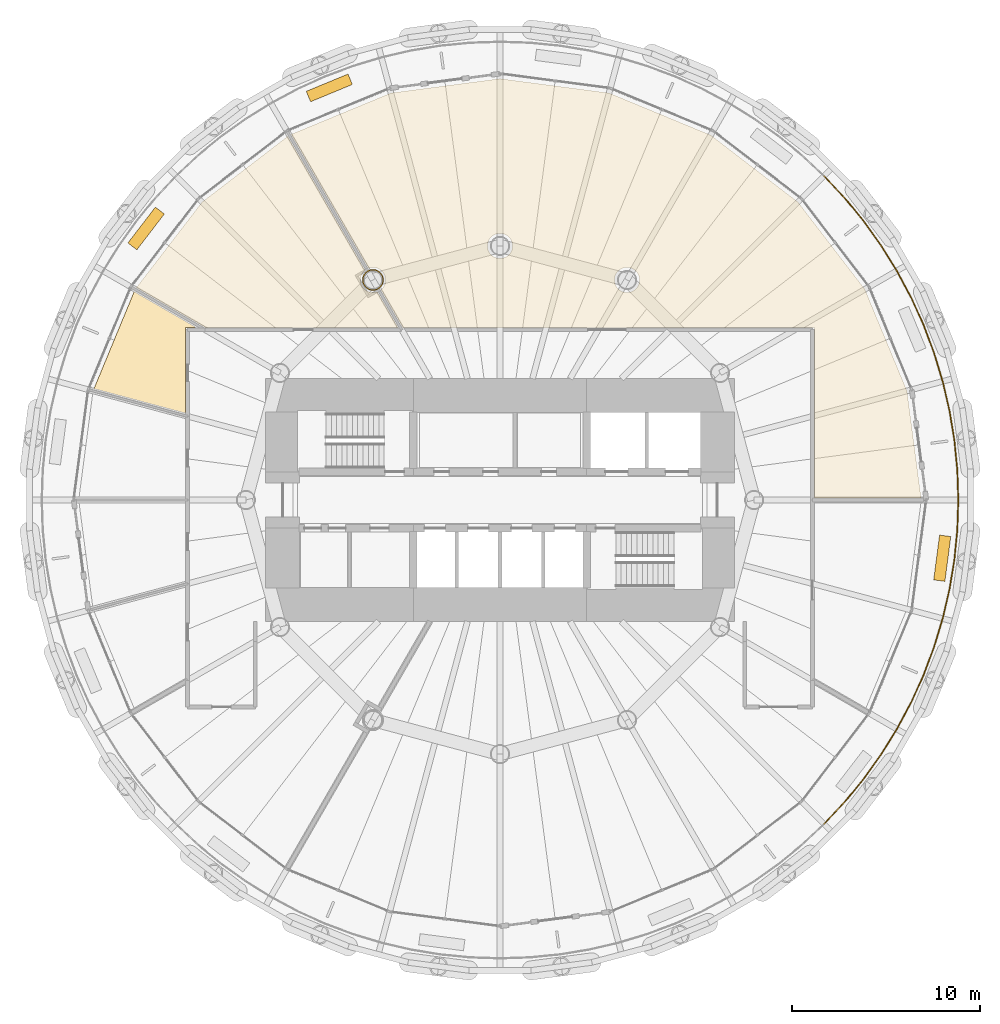
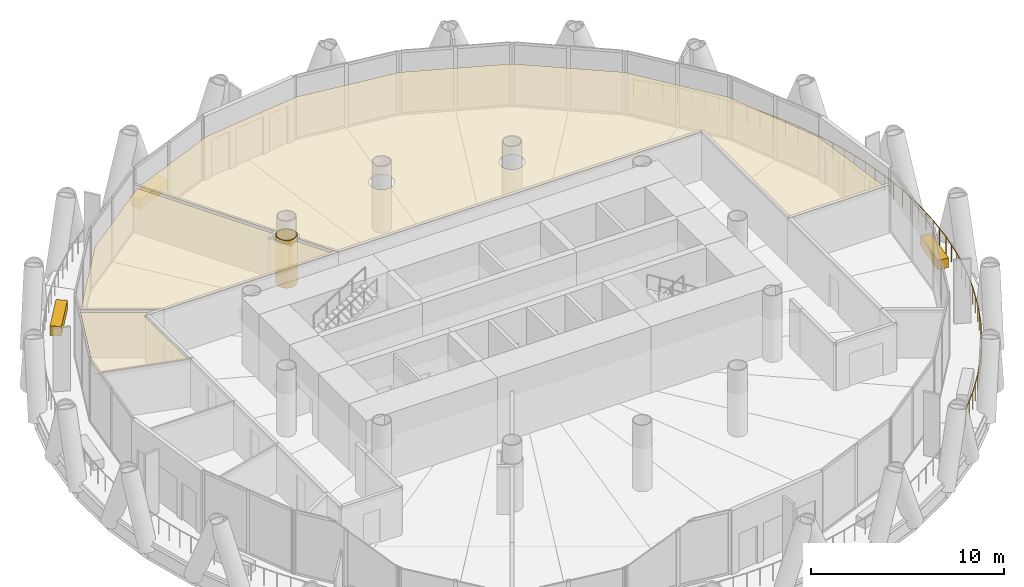
# One storey, part 14 of 15: 7 coverings, 1 railing.
"""IFC4 building model written with IfcOpenShell, lengths in metres."""

from ifc_helpers import new_model, si_unit, direction, frame, origin, origin_2d, place, context, subcontext, project, spatial, polyline, rectangle, circle, outline, extrude, material, layer, layer_set, type_object, element, save


model = new_model("IFC4")

# Units and contexts
model_context = context("Model", 3, precision=1e-05, world=origin(), true_north=direction((0.0, 1.0)))
body_context = subcontext(model_context, "Body", "Model", "MODEL_VIEW")
ifc_project = project(units=[si_unit("LENGTHUNIT", "METRE"), si_unit("AREAUNIT", "SQUARE_METRE"), si_unit("VOLUMEUNIT", "CUBIC_METRE"), si_unit("PLANEANGLEUNIT", "RADIAN"), si_unit("MASSUNIT", "GRAM", prefix="KILO")], contexts=[model_context])

# Site, building, storey
site_placement = place(None, origin())
site = spatial("IfcSite", under=ifc_project, at=site_placement, CompositionType="ELEMENT")
building_placement = place(site_placement, origin())
building = spatial("IfcBuilding", under=site, at=building_placement, Name="Qaws Media Tower", CompositionType="ELEMENT")
storey_placement = place(building_placement, frame((0.0, 0.0, 131.0)))
storey = spatial("IfcBuildingStorey", under=building, at=storey_placement, Name="L29", CompositionType="ELEMENT", Elevation=131.0)

# Covering
ifc_material_1 = material(Name="40 perforated acoustic panels with mineral wool backing, suspended", Category="mineral fibre")
ifc_layer_1 = layer(ifc_material_1, 0.0400390625)
ifc_layer_set_1 = layer_set([ifc_layer_1], Name="Acoustic panel ceiling 40")
covering_type_1 = type_object("IfcCoveringType", Name="Acoustic panel ceiling 40", PredefinedType="CEILING", material=ifc_layer_set_1)
covering_1_placement = place(storey_placement, frame((0.0, 0.0, 2.85009765625)))
element("IfcCovering", 1, at=covering_1_placement, inside=storey, type_object=covering_type_1, Name="CL3 ceiling L29-03 Meeting room", PredefinedType="CEILING", context=body_context, shape_type="SweptSolid", body=[
    extrude(outline(polyline([(44.171142578125, 65.828857421875), (48.71728515625, 69.317138671875), (52.823974609375, 62.204345703125), (52.777587890625, 62.163818359375), (52.719970703125, 62.097900390625), (52.67138671875, 62.025390625), (52.6328125, 61.947021484375), (52.604736328125, 61.8642578125), (52.587646484375, 61.778564453125), (52.58203125, 61.69140625), (52.587646484375, 61.604248046875), (52.604736328125, 61.5185546875), (52.6328125, 61.435791015625), (52.67138671875, 61.357421875), (52.719970703125, 61.28466796875), (52.777587890625, 61.218994140625), (52.84326171875, 61.161376953125), (52.916015625, 61.11279296875), (52.994384765625, 61.07421875), (53.0771484375, 61.046142578125), (53.162841796875, 61.029052734375), (53.25, 61.023193359375), (53.337158203125, 61.029052734375), (53.4228515625, 61.046142578125), (53.481201171875, 61.06591796875), (54.580078125, 59.16259765625), (44.35498046875, 59.16259765625), (40.682861328125, 61.28271484375), (44.171142578125, 65.828857421875)])), origin(), (0.0, 0.0, 1.0), 0.039794921875),
])

# Railing
ifc_material_2 = material(Name="Stainless steel and glass guard", Category="steel")
railing_type = type_object("IfcRailingType", Name="Balcony guard 1100", PredefinedType="GUARDRAIL", material=ifc_material_2)
railing_placement = place(storey_placement, frame((77.218017578125, 32.781982421875, 0.0)))
element("IfcRailing", 2, at=railing_placement, inside=storey, type_object=railing_type, Name="GR1 balcony guard L29-4", PredefinedType="GUARDRAIL", context=body_context, shape_type="SweptSolid", body=[
    extrude(circle(Radius=0.02392578125, at=origin_2d()), frame((0.0, 0.0, 1.076171875), z_axis=(0.683670954783, 0.729790398393, 0.0), x_axis=(-0.729790398393, 0.683670954783, 0.0)), (0.0, 0.0, 1.0), 1.593505859375),
    extrude(circle(Radius=0.02392578125, at=origin_2d()), frame((1.08935546875, 1.162841796875, 1.076171875), z_axis=(0.634288437516, 0.773096486885, 0.0), x_axis=(-0.773096486885, 0.634288437516, 0.0)), (0.0, 0.0, 1.0), 1.593505859375),
    extrude(circle(Radius=0.02392578125, at=origin_2d()), frame((2.10009765625, 2.394775390625, 1.076171875), z_axis=(0.582527376855, 0.812811082119, 0.0), x_axis=(-0.812811082119, 0.582527376855, 0.0)), (0.0, 0.0, 1.0), 1.593505859375),
    extrude(circle(Radius=0.02392578125, at=origin_2d()), frame((3.0283203125, 3.68994140625, 1.076171875), z_axis=(0.528041654639, 0.849218470693, 0.0), x_axis=(-0.849218470693, 0.528041654639, 0.0)), (0.0, 0.0, 1.0), 1.59326171875),
    extrude(circle(Radius=0.02392578125, at=origin_2d()), frame((3.86962890625, 5.04296875, 1.076171875), z_axis=(0.471438909814, 0.88189872112, 0.0), x_axis=(-0.88189872112, 0.471438909814, 0.0)), (0.0, 0.0, 1.0), 1.593505859375),
    extrude(circle(Radius=0.02392578125, at=origin_2d()), frame((4.620849609375, 6.4482421875, 1.076171875), z_axis=(0.412752224471, 0.910843346133, 0.0), x_axis=(-0.910843346133, 0.412752224471, 0.0)), (0.0, 0.0, 1.0), 1.593505859375),
    extrude(circle(Radius=0.02392578125, at=origin_2d()), frame((5.278564453125, 7.899658203125, 1.076171875), z_axis=(0.352265024025, 0.935900290014, 0.0), x_axis=(-0.935900290014, 0.352265024025, 0.0)), (0.0, 0.0, 1.0), 1.59326171875),
    extrude(circle(Radius=0.02392578125, at=origin_2d()), frame((5.83984375, 9.390869140625, 1.076171875), z_axis=(0.290185988747, 0.956970267007, 0.0), x_axis=(-0.956970267007, 0.290185988747, 0.0)), (0.0, 0.0, 1.0), 1.593505859375),
    extrude(circle(Radius=0.02392578125, at=origin_2d()), frame((6.30224609375, 10.915771484375, 1.076171875), z_axis=(0.227074614975, 0.973877363549, 0.0), x_axis=(-0.973877363549, 0.227074614975, 0.0)), (0.0, 0.0, 1.0), 1.59326171875),
    extrude(circle(Radius=0.02392578125, at=origin_2d()), frame((6.6640625, 12.467529296875, 1.076171875), z_axis=(0.162858441071, 0.986649445432, 0.0), x_axis=(-0.986649445432, 0.162858441071, 0.0)), (0.0, 0.0, 1.0), 1.593505859375),
    extrude(circle(Radius=0.02392578125, at=origin_2d()), frame((6.923583984375, 14.039794921875, 1.076171875), z_axis=(0.09806241273, 0.99518026669, 0.0), x_axis=(-0.99518026669, 0.09806241273, 0.0)), (0.0, 0.0, 1.0), 1.59326171875),
    extrude(circle(Radius=0.02392578125, at=origin_2d()), frame((7.079833984375, 15.62548828125, 1.076171875), z_axis=(0.032789349828, 0.9994622847, 0.0), x_axis=(-0.9994622847, 0.032789349828, 0.0)), (0.0, 0.0, 1.0), 1.593505859375),
    extrude(circle(Radius=0.02392578125, at=origin_2d()), frame((7.132080078125, 17.218017578125, 1.076171875), z_axis=(-0.032789349828, 0.9994622847, 0.0), x_axis=(-0.9994622847, -0.032789349828, 0.0)), (0.0, 0.0, 1.0), 1.593505859375),
    extrude(circle(Radius=0.02392578125, at=origin_2d()), frame((7.079833984375, 18.810546875, 1.076171875), z_axis=(-0.09806241273, 0.99518026669, 0.0), x_axis=(-0.99518026669, -0.09806241273, 0.0)), (0.0, 0.0, 1.0), 1.59326171875),
    extrude(circle(Radius=0.02392578125, at=origin_2d()), frame((6.923583984375, 20.396240234375, 1.076171875), z_axis=(-0.162858441071, 0.986649445432, 0.0), x_axis=(-0.986649445432, -0.162858441071, 0.0)), (0.0, 0.0, 1.0), 1.593505859375),
    extrude(circle(Radius=0.02392578125, at=origin_2d()), frame((6.6640625, 21.968505859375, 1.076171875), z_axis=(-0.227074614975, 0.973877363549, 0.0), x_axis=(-0.973877363549, -0.227074614975, 0.0)), (0.0, 0.0, 1.0), 1.59326171875),
    extrude(circle(Radius=0.02392578125, at=origin_2d()), frame((6.30224609375, 23.520263671875, 1.076171875), z_axis=(-0.290185988747, 0.956970267007, 0.0), x_axis=(-0.956970267007, -0.290185988747, 0.0)), (0.0, 0.0, 1.0), 1.593505859375),
    extrude(circle(Radius=0.02392578125, at=origin_2d()), frame((5.83984375, 25.045166015625, 1.076171875), z_axis=(-0.352265024025, 0.935900290014, 0.0), x_axis=(-0.935900290014, -0.352265024025, 0.0)), (0.0, 0.0, 1.0), 1.59326171875),
    extrude(circle(Radius=0.02392578125, at=origin_2d()), frame((5.278564453125, 26.536376953125, 1.076171875), z_axis=(-0.412752224471, 0.910843346133, 0.0), x_axis=(-0.910843346133, -0.412752224471, 0.0)), (0.0, 0.0, 1.0), 1.593505859375),
    extrude(circle(Radius=0.02392578125, at=origin_2d()), frame((4.620849609375, 27.98779296875, 1.076171875), z_axis=(-0.471438909814, 0.88189872112, 0.0), x_axis=(-0.88189872112, -0.471438909814, 0.0)), (0.0, 0.0, 1.0), 1.593505859375),
    extrude(circle(Radius=0.02392578125, at=origin_2d()), frame((3.86962890625, 29.39306640625, 1.076171875), z_axis=(-0.528041654639, 0.849218470693, 0.0), x_axis=(-0.849218470693, -0.528041654639, 0.0)), (0.0, 0.0, 1.0), 1.59326171875),
    extrude(circle(Radius=0.02392578125, at=origin_2d()), frame((3.0283203125, 30.74609375, 1.076171875), z_axis=(-0.582527376855, 0.812811082119, 0.0), x_axis=(-0.812811082119, -0.582527376855, 0.0)), (0.0, 0.0, 1.0), 1.593505859375),
    extrude(circle(Radius=0.02392578125, at=origin_2d()), frame((2.10009765625, 32.041259765625, 1.076171875), z_axis=(-0.634288437516, 0.773096486885, 0.0), x_axis=(-0.773096486885, -0.634288437516, 0.0)), (0.0, 0.0, 1.0), 1.593505859375),
    extrude(circle(Radius=0.02392578125, at=origin_2d()), frame((1.08935546875, 33.273193359375, 1.076171875), z_axis=(-0.683670954783, 0.729790398393, 0.0), x_axis=(-0.729790398393, -0.683670954783, 0.0)), (0.0, 0.0, 1.0), 1.593505859375),
    extrude(circle(Radius=0.02099609375, at=origin_2d()), origin(), (0.0, 0.0, 1.0), 1.052001953125),
    extrude(circle(Radius=0.02099609375, at=origin_2d()), frame((0.544677734375, 0.58154296875, 0.0)), (0.0, 0.0, 1.0), 1.052001953125),
    extrude(circle(Radius=0.02099609375, at=origin_2d()), frame((1.08935546875, 1.162841796875, 0.0)), (0.0, 0.0, 1.0), 1.052001953125),
    extrude(circle(Radius=0.02099609375, at=origin_2d()), frame((1.5947265625, 1.77880859375, 0.0)), (0.0, 0.0, 1.0), 1.052001953125),
    extrude(circle(Radius=0.02099609375, at=origin_2d()), frame((2.10009765625, 2.394775390625, 0.0)), (0.0, 0.0, 1.0), 1.052001953125),
    extrude(circle(Radius=0.02099609375, at=origin_2d()), frame((2.564208984375, 3.04248046875, 0.0)), (0.0, 0.0, 1.0), 1.052001953125),
    extrude(circle(Radius=0.02099609375, at=origin_2d()), frame((3.0283203125, 3.68994140625, 0.0)), (0.0, 0.0, 1.0), 1.052001953125),
    extrude(circle(Radius=0.02099609375, at=origin_2d()), frame((3.448974609375, 4.366455078125, 0.0)), (0.0, 0.0, 1.0), 1.052001953125),
    extrude(circle(Radius=0.02099609375, at=origin_2d()), frame((3.86962890625, 5.04296875, 0.0)), (0.0, 0.0, 1.0), 1.052001953125),
    extrude(circle(Radius=0.02099609375, at=origin_2d()), frame((4.2451171875, 5.74560546875, 0.0)), (0.0, 0.0, 1.0), 1.052001953125),
    extrude(circle(Radius=0.02099609375, at=origin_2d()), frame((4.620849609375, 6.4482421875, 0.0)), (0.0, 0.0, 1.0), 1.052001953125),
    extrude(circle(Radius=0.02099609375, at=origin_2d()), frame((4.94970703125, 7.173828125, 0.0)), (0.0, 0.0, 1.0), 1.052001953125),
    extrude(circle(Radius=0.02099609375, at=origin_2d()), frame((5.278564453125, 7.899658203125, 0.0)), (0.0, 0.0, 1.0), 1.052001953125),
    extrude(circle(Radius=0.02099609375, at=origin_2d()), frame((5.55908203125, 8.645263671875, 0.0)), (0.0, 0.0, 1.0), 1.052001953125),
    extrude(circle(Radius=0.02099609375, at=origin_2d()), frame((5.83984375, 9.390869140625, 0.0)), (0.0, 0.0, 1.0), 1.052001953125),
    extrude(circle(Radius=0.02099609375, at=origin_2d()), frame((6.071044921875, 10.1533203125, 0.0)), (0.0, 0.0, 1.0), 1.052001953125),
    extrude(circle(Radius=0.02099609375, at=origin_2d()), frame((6.30224609375, 10.915771484375, 0.0)), (0.0, 0.0, 1.0), 1.052001953125),
    extrude(circle(Radius=0.02099609375, at=origin_2d()), frame((6.483154296875, 11.691650390625, 0.0)), (0.0, 0.0, 1.0), 1.052001953125),
    extrude(circle(Radius=0.02099609375, at=origin_2d()), frame((6.6640625, 12.467529296875, 0.0)), (0.0, 0.0, 1.0), 1.052001953125),
    extrude(circle(Radius=0.02099609375, at=origin_2d()), frame((6.7939453125, 13.253662109375, 0.0)), (0.0, 0.0, 1.0), 1.052001953125),
    extrude(circle(Radius=0.02099609375, at=origin_2d()), frame((6.923583984375, 14.039794921875, 0.0)), (0.0, 0.0, 1.0), 1.052001953125),
    extrude(circle(Radius=0.02099609375, at=origin_2d()), frame((7.001708984375, 14.83251953125, 0.0)), (0.0, 0.0, 1.0), 1.052001953125),
    extrude(circle(Radius=0.02099609375, at=origin_2d()), frame((7.079833984375, 15.62548828125, 0.0)), (0.0, 0.0, 1.0), 1.052001953125),
    extrude(circle(Radius=0.02099609375, at=origin_2d()), frame((7.10595703125, 16.421875, 0.0)), (0.0, 0.0, 1.0), 1.052001953125),
    extrude(circle(Radius=0.02099609375, at=origin_2d()), frame((7.132080078125, 17.218017578125, 0.0)), (0.0, 0.0, 1.0), 1.052001953125),
    extrude(circle(Radius=0.02099609375, at=origin_2d()), frame((7.10595703125, 18.01416015625, 0.0)), (0.0, 0.0, 1.0), 1.052001953125),
    extrude(circle(Radius=0.02099609375, at=origin_2d()), frame((7.079833984375, 18.810546875, 0.0)), (0.0, 0.0, 1.0), 1.052001953125),
    extrude(circle(Radius=0.02099609375, at=origin_2d()), frame((7.001708984375, 19.603515625, 0.0)), (0.0, 0.0, 1.0), 1.052001953125),
    extrude(circle(Radius=0.02099609375, at=origin_2d()), frame((6.923583984375, 20.396240234375, 0.0)), (0.0, 0.0, 1.0), 1.052001953125),
    extrude(circle(Radius=0.02099609375, at=origin_2d()), frame((6.7939453125, 21.182373046875, 0.0)), (0.0, 0.0, 1.0), 1.052001953125),
    extrude(circle(Radius=0.02099609375, at=origin_2d()), frame((6.6640625, 21.968505859375, 0.0)), (0.0, 0.0, 1.0), 1.052001953125),
    extrude(circle(Radius=0.02099609375, at=origin_2d()), frame((6.483154296875, 22.744384765625, 0.0)), (0.0, 0.0, 1.0), 1.052001953125),
    extrude(circle(Radius=0.02099609375, at=origin_2d()), frame((6.30224609375, 23.520263671875, 0.0)), (0.0, 0.0, 1.0), 1.052001953125),
    extrude(circle(Radius=0.02099609375, at=origin_2d()), frame((6.071044921875, 24.28271484375, 0.0)), (0.0, 0.0, 1.0), 1.052001953125),
    extrude(circle(Radius=0.02099609375, at=origin_2d()), frame((5.83984375, 25.045166015625, 0.0)), (0.0, 0.0, 1.0), 1.052001953125),
    extrude(circle(Radius=0.02099609375, at=origin_2d()), frame((5.55908203125, 25.790771484375, 0.0)), (0.0, 0.0, 1.0), 1.052001953125),
    extrude(circle(Radius=0.02099609375, at=origin_2d()), frame((5.278564453125, 26.536376953125, 0.0)), (0.0, 0.0, 1.0), 1.052001953125),
    extrude(circle(Radius=0.02099609375, at=origin_2d()), frame((4.94970703125, 27.26220703125, 0.0)), (0.0, 0.0, 1.0), 1.052001953125),
    extrude(circle(Radius=0.02099609375, at=origin_2d()), frame((4.620849609375, 27.98779296875, 0.0)), (0.0, 0.0, 1.0), 1.052001953125),
    extrude(circle(Radius=0.02099609375, at=origin_2d()), frame((4.2451171875, 28.6904296875, 0.0)), (0.0, 0.0, 1.0), 1.052001953125),
    extrude(circle(Radius=0.02099609375, at=origin_2d()), frame((3.86962890625, 29.39306640625, 0.0)), (0.0, 0.0, 1.0), 1.052001953125),
    extrude(circle(Radius=0.02099609375, at=origin_2d()), frame((3.448974609375, 30.069580078125, 0.0)), (0.0, 0.0, 1.0), 1.052001953125),
    extrude(circle(Radius=0.02099609375, at=origin_2d()), frame((3.0283203125, 30.74609375, 0.0)), (0.0, 0.0, 1.0), 1.052001953125),
    extrude(circle(Radius=0.02099609375, at=origin_2d()), frame((2.564208984375, 31.3935546875, 0.0)), (0.0, 0.0, 1.0), 1.052001953125),
    extrude(circle(Radius=0.02099609375, at=origin_2d()), frame((2.10009765625, 32.041259765625, 0.0)), (0.0, 0.0, 1.0), 1.052001953125),
    extrude(circle(Radius=0.02099609375, at=origin_2d()), frame((1.5947265625, 32.6572265625, 0.0)), (0.0, 0.0, 1.0), 1.052001953125),
    extrude(circle(Radius=0.02099609375, at=origin_2d()), frame((1.08935546875, 33.273193359375, 0.0)), (0.0, 0.0, 1.0), 1.052001953125),
    extrude(circle(Radius=0.02099609375, at=origin_2d()), frame((0.544677734375, 33.8544921875, 0.0)), (0.0, 0.0, 1.0), 1.052001953125),
    extrude(circle(Radius=0.02099609375, at=origin_2d()), frame((0.0, 34.43603515625, 0.0)), (0.0, 0.0, 1.0), 1.052001953125),
])

# Coverings
ifc_material_3 = material(Name="Two layers 15 fire-rated gypsum board on steel framing", Category="steel")
ifc_layer_2 = layer(ifc_material_3, 0.050048828125)
ifc_layer_set_2 = layer_set([ifc_layer_2], Name="Column fire casing")
covering_type_2 = type_object("IfcCoveringType", Name="Column fire casing", PredefinedType="CLADDING", material=ifc_layer_set_2)
covering_2_placement = place(storey_placement, origin())
element("IfcCovering", 3, at=covering_2_placement, inside=storey, type_object=covering_type_2, Name="CC1 column casing L29", PredefinedType="CLADDING", context=body_context, shape_type="SweptSolid", body=[
    extrude(outline(polyline([(53.81298828125, 61.69140625), (53.80810546875, 61.617919921875), (53.793701171875, 61.545654296875), (53.77001953125, 61.475830078125), (53.737548828125, 61.409912109375), (53.69677734375, 61.3486328125), (53.648193359375, 61.293212890625), (53.5927734375, 61.24462890625), (53.531494140625, 61.203857421875), (53.465576171875, 61.171142578125), (53.395751953125, 61.1474609375), (53.323486328125, 61.13330078125), (53.25, 61.12841796875), (53.176513671875, 61.13330078125), (53.104248046875, 61.1474609375), (53.034423828125, 61.171142578125), (52.968505859375, 61.203857421875), (52.9072265625, 61.24462890625), (52.851806640625, 61.293212890625), (52.80322265625, 61.3486328125), (52.762451171875, 61.409912109375), (52.72998046875, 61.475830078125), (52.706298828125, 61.545654296875), (52.69189453125, 61.617919921875), (52.68701171875, 61.69140625), (52.69189453125, 61.764892578125), (52.706298828125, 61.837158203125), (52.72998046875, 61.90673828125), (52.762451171875, 61.972900390625), (52.80322265625, 62.0341796875), (52.851806640625, 62.08935546875), (52.9072265625, 62.137939453125), (52.968505859375, 62.178955078125), (53.034423828125, 62.21142578125), (53.104248046875, 62.235107421875), (53.176513671875, 62.24951171875), (53.25, 62.25439453125), (53.323486328125, 62.24951171875), (53.395751953125, 62.235107421875), (53.465576171875, 62.21142578125), (53.531494140625, 62.178955078125), (53.5927734375, 62.137939453125), (53.648193359375, 62.08935546875), (53.69677734375, 62.0341796875), (53.737548828125, 61.972900390625), (53.77001953125, 61.90673828125), (53.793701171875, 61.837158203125), (53.80810546875, 61.764892578125), (53.81298828125, 61.69140625)]), holes=[polyline([(53.760986328125, 61.69140625), (53.756591796875, 61.62451171875), (53.74365234375, 61.55908203125), (53.72216796875, 61.495849609375), (53.6923828125, 61.435791015625), (53.655517578125, 61.38037109375), (53.611328125, 61.330078125), (53.56103515625, 61.285888671875), (53.505615234375, 61.248779296875), (53.445556640625, 61.21923828125), (53.38232421875, 61.19775390625), (53.316650390625, 61.184814453125), (53.25, 61.180419921875), (53.183349609375, 61.184814453125), (53.11767578125, 61.19775390625), (53.054443359375, 61.21923828125), (52.994384765625, 61.248779296875), (52.93896484375, 61.285888671875), (52.888671875, 61.330078125), (52.844482421875, 61.38037109375), (52.8076171875, 61.435791015625), (52.77783203125, 61.495849609375), (52.75634765625, 61.55908203125), (52.743408203125, 61.62451171875), (52.739013671875, 61.69140625), (52.743408203125, 61.758056640625), (52.75634765625, 61.823486328125), (52.77783203125, 61.886962890625), (52.8076171875, 61.94677734375), (52.844482421875, 62.00244140625), (52.888671875, 62.052734375), (52.93896484375, 62.0966796875), (52.994384765625, 62.1337890625), (53.054443359375, 62.163330078125), (53.11767578125, 62.184814453125), (53.183349609375, 62.197998046875), (53.25, 62.202392578125), (53.316650390625, 62.197998046875), (53.38232421875, 62.184814453125), (53.445556640625, 62.163330078125), (53.505615234375, 62.1337890625), (53.56103515625, 62.0966796875), (53.611328125, 62.052734375), (53.655517578125, 62.00244140625), (53.6923828125, 61.94677734375), (53.72216796875, 61.886962890625), (53.74365234375, 61.823486328125), (53.756591796875, 61.758056640625), (53.760986328125, 61.69140625)])]), origin(), (0.0, 0.0, 1.0), 3.02001953125),
])
ifc_material_4 = material(Name="600 x 600 mineral fibre tiles in exposed grid, suspended", Category="mineral fibre")
ifc_layer_3 = layer(ifc_material_4, 0.02001953125)
ifc_layer_set_3 = layer_set([ifc_layer_3], Name="Mineral fibre tile ceiling 20")
covering_type_3 = type_object("IfcCoveringType", Name="Mineral fibre tile ceiling 20", PredefinedType="CEILING", material=ifc_layer_set_3)
covering_3_placement = place(storey_placement, frame((0.0, 0.0, 2.85009765625)))
element("IfcCovering", 4, at=covering_3_placement, inside=storey, type_object=covering_type_3, Name="CL1 ceiling L29-02 Finance office", PredefinedType="CEILING", context=body_context, shape_type="SweptSolid", body=[
    extrude(outline(polyline([(54.206298828125, 71.62255859375), (60.0, 72.38525390625), (65.793701171875, 71.62255859375), (71.192626953125, 69.38623046875), (75.828857421875, 65.828857421875), (79.38623046875, 61.192626953125), (81.62255859375, 55.793701171875), (82.370361328125, 50.112548828125), (76.71240234375, 50.112548828125), (76.71240234375, 59.16259765625), (54.83984375, 59.16259765625), (53.676025390625, 61.178466796875), (53.722412109375, 61.218994140625), (53.780029296875, 61.28466796875), (53.82861328125, 61.357421875), (53.8671875, 61.435791015625), (53.895263671875, 61.5185546875), (53.912353515625, 61.604248046875), (53.91796875, 61.69140625), (53.912353515625, 61.778564453125), (53.895263671875, 61.8642578125), (53.8671875, 61.947021484375), (53.82861328125, 62.025390625), (53.780029296875, 62.097900390625), (53.722412109375, 62.163818359375), (53.65673828125, 62.22119140625), (53.583984375, 62.269775390625), (53.505615234375, 62.30859375), (53.4228515625, 62.336669921875), (53.337158203125, 62.353515625), (53.25, 62.359375), (53.162841796875, 62.353515625), (53.0771484375, 62.336669921875), (53.018798828125, 62.31689453125), (48.912109375, 69.4296875), (54.206298828125, 71.62255859375)]), holes=[polyline([(60.6171875, 63.244384765625), (60.645263671875, 63.3271484375), (60.662353515625, 63.412841796875), (60.66796875, 63.5), (60.662353515625, 63.587158203125), (60.645263671875, 63.6728515625), (60.6171875, 63.755615234375), (60.57861328125, 63.833984375), (60.530029296875, 63.90673828125), (60.472412109375, 63.972412109375), (60.40673828125, 64.030029296875), (60.333984375, 64.07861328125), (60.255615234375, 64.1171875), (60.1728515625, 64.145263671875), (60.087158203125, 64.162353515625), (60.0, 64.16796875), (59.912841796875, 64.162353515625), (59.8271484375, 64.145263671875), (59.744384765625, 64.1171875), (59.666015625, 64.07861328125), (59.59326171875, 64.030029296875), (59.527587890625, 63.972412109375), (59.469970703125, 63.90673828125), (59.42138671875, 63.833984375), (59.3828125, 63.755615234375), (59.354736328125, 63.6728515625), (59.337646484375, 63.587158203125), (59.33203125, 63.5), (59.337646484375, 63.412841796875), (59.354736328125, 63.3271484375), (59.3828125, 63.244384765625), (59.42138671875, 63.166015625), (59.469970703125, 63.09326171875), (59.527587890625, 63.027587890625), (59.59326171875, 62.969970703125), (59.666015625, 62.92138671875), (59.744384765625, 62.8828125), (59.8271484375, 62.854736328125), (59.912841796875, 62.837646484375), (60.0, 62.83203125), (60.087158203125, 62.837646484375), (60.1728515625, 62.854736328125), (60.255615234375, 62.8828125), (60.333984375, 62.92138671875), (60.40673828125, 62.969970703125), (60.472412109375, 63.027587890625), (60.530029296875, 63.09326171875), (60.57861328125, 63.166015625), (60.6171875, 63.244384765625)]), polyline([(67.3671875, 61.435791015625), (67.395263671875, 61.5185546875), (67.412353515625, 61.604248046875), (67.41796875, 61.69140625), (67.412353515625, 61.778564453125), (67.395263671875, 61.8642578125), (67.3671875, 61.947021484375), (67.32861328125, 62.025390625), (67.280029296875, 62.097900390625), (67.222412109375, 62.163818359375), (67.15673828125, 62.22119140625), (67.083984375, 62.269775390625), (67.005615234375, 62.30859375), (66.9228515625, 62.336669921875), (66.837158203125, 62.353515625), (66.75, 62.359375), (66.662841796875, 62.353515625), (66.5771484375, 62.336669921875), (66.494384765625, 62.30859375), (66.416015625, 62.269775390625), (66.34326171875, 62.22119140625), (66.277587890625, 62.163818359375), (66.219970703125, 62.097900390625), (66.17138671875, 62.025390625), (66.1328125, 61.947021484375), (66.104736328125, 61.8642578125), (66.087646484375, 61.778564453125), (66.08203125, 61.69140625), (66.087646484375, 61.604248046875), (66.104736328125, 61.5185546875), (66.1328125, 61.435791015625), (66.17138671875, 61.357421875), (66.219970703125, 61.28466796875), (66.277587890625, 61.218994140625), (66.34326171875, 61.161376953125), (66.416015625, 61.11279296875), (66.494384765625, 61.07421875), (66.5771484375, 61.046142578125), (66.662841796875, 61.029052734375), (66.75, 61.023193359375), (66.837158203125, 61.029052734375), (66.9228515625, 61.046142578125), (67.005615234375, 61.07421875), (67.083984375, 61.11279296875), (67.15673828125, 61.161376953125), (67.222412109375, 61.218994140625), (67.280029296875, 61.28466796875), (67.32861328125, 61.357421875), (67.3671875, 61.435791015625)])]), origin(), (0.0, 0.0, 1.0), 0.02001953125),
])
covering_4_placement = place(storey_placement, frame((0.0, 0.0, 2.85009765625)))
element("IfcCovering", 5, at=covering_4_placement, inside=storey, type_object=covering_type_3, Name="CL1 ceiling L29-04 Office", PredefinedType="CEILING", context=body_context, shape_type="SweptSolid", body=[
    extrude(outline(polyline([(40.5703125, 61.087890625), (43.905029296875, 59.16259765625), (43.28759765625, 59.16259765625), (43.28759765625, 54.594482421875), (38.4208984375, 55.898681640625), (40.5703125, 61.087890625)])), origin(), (0.0, 0.0, 1.0), 0.02001953125),
])
ifc_material_5 = material(Name="Precast concrete planter with trailing planting", Category="concrete")
ifc_layer_4 = layer(ifc_material_5, 0.60009765625)
ifc_layer_set_4 = layer_set([ifc_layer_4], Name="Planter 2400x600")
covering_type_4 = type_object("IfcCoveringType", Name="Planter 2400x600", PredefinedType="USERDEFINED", material=ifc_layer_set_4)
for number, where, z_axis, x_axis, name in (
    (6, (50.930419921875, 71.89599609375, 0.0), (0.0, 0.0, 1.0), (-0.923879532511, -0.382683432365, 0.0), "PL1 balcony planter L29-04"),
    (7, (41.197509765625, 64.427734375, 0.0), (0.0, 0.0, 1.0), (-0.608761429009, -0.793353340291, 0.0), "PL1 balcony planter L29-05"),
    (8, (83.497314453125, 46.906494140625, 0.0), (0.0, 0.0, 1.0), (0.13052619222, 0.991444861374, 0.0), "PL1 balcony planter L29-12"),
):
    element("IfcCovering", number, at=place(storey_placement, frame(where, z_axis=z_axis, x_axis=x_axis)), inside=storey, type_object=covering_type_4, Name=name, ObjectType="PLANTER", PredefinedType="USERDEFINED", context=body_context, shape_type="SweptSolid", body=[
        extrude(rectangle(XDim=2.39990234375, YDim=0.60009765625, at=origin_2d()), origin(), (0.0, 0.0, 1.0), 0.60009765625),
    ])

save(model, "model.ifc")
